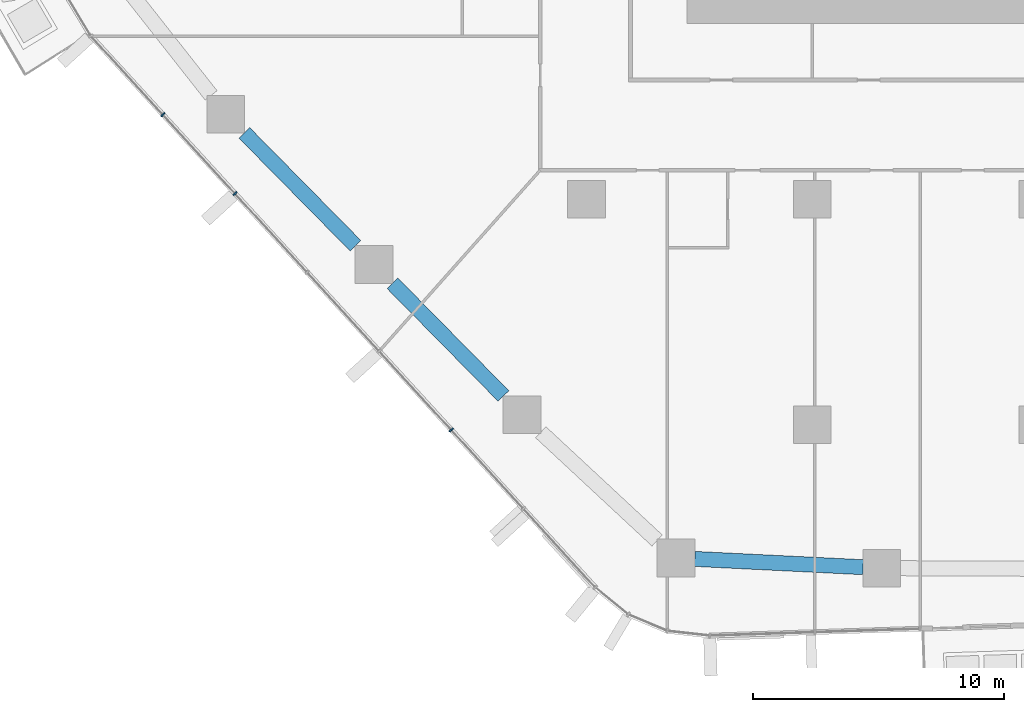
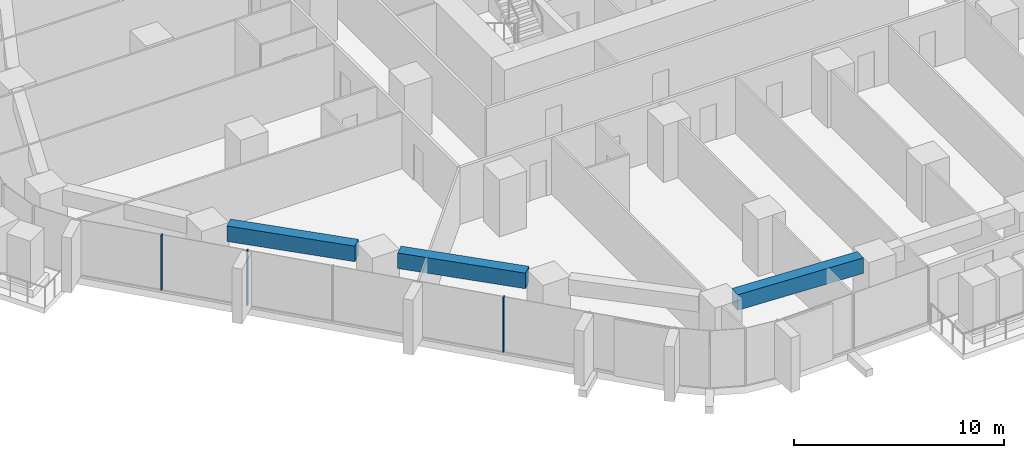
# One storey, part 3 of 27: 3 beams, 3 members, 1 element without a shape of its own.
"""IFC4 building model written with IfcOpenShell, lengths in metres."""

from ifc_helpers import new_model, si_unit, direction, frame, origin, origin_2d, place, context, subcontext, project, spatial, rectangle, extrude, material, layer, layer_set, material_profile, profile_set, type_object, element, aggregate, save


model = new_model("IFC4")

# Units and contexts
model_context = context("Model", 3, precision=1e-05, world=origin(), true_north=direction((0.0, 1.0)))
body_context = subcontext(model_context, "Body", "Model", "MODEL_VIEW")
ifc_project = project(units=[si_unit("LENGTHUNIT", "METRE"), si_unit("AREAUNIT", "SQUARE_METRE"), si_unit("VOLUMEUNIT", "CUBIC_METRE"), si_unit("PLANEANGLEUNIT", "RADIAN"), si_unit("MASSUNIT", "GRAM", prefix="KILO")], contexts=[model_context])

# Site, building, storey
site_placement = place(None, origin())
site = spatial("IfcSite", under=ifc_project, at=site_placement, CompositionType="ELEMENT")
building_placement = place(site_placement, origin())
building = spatial("IfcBuilding", under=site, at=building_placement, Name="Dongbaek Canopy Tower", CompositionType="ELEMENT")
storey_placement = place(building_placement, frame((0.0, 0.0, 58.800048828125)))
storey = spatial("IfcBuildingStorey", under=building, at=storey_placement, Name="L10", CompositionType="ELEMENT", Elevation=58.800048828125)

# Curtain wall, members
ifc_material_1 = material(Name="Aluminium 6063-T6 pale anodised", Category="aluminium")
ifc_layer = layer(ifc_material_1, 0.199951171875)
ifc_layer_set = layer_set([ifc_layer], Name="CW-1 unitised tower curtain wall")
curtain_wall_type = type_object("IfcCurtainWallType", Name="CW-1 unitised tower curtain wall", PredefinedType="NOTDEFINED", material=ifc_layer_set)
curtain_wall_placement = place(storey_placement, origin())
curtain_wall = element("IfcCurtainWall", 1, at=curtain_wall_placement, inside=storey, type_object=curtain_wall_type, Name="CW-1 curtain wall F3.1", PredefinedType="NOTDEFINED")
ifc_material_2 = material(Name="Aluminium 6063-T6 pale anodised", Category="aluminium")
ifc_material_profile_1 = material_profile(ifc_material_2, rectangle(XDim=0.199951171875, YDim=0.06005859375, at=origin_2d()), Name="CW-1 mullion 60 x 200")
ifc_profile_set_1 = profile_set([ifc_material_profile_1], Name="Aluminium 6063-T6 pale anodised")
member_type = type_object("IfcMemberType", Name="CW-1 mullion 60 x 200", PredefinedType="MULLION", material=ifc_profile_set_1)
member_1_placement = place(storey_placement, frame((-34.893798828125, -14.634033203125, 0.119873046875), z_axis=(0.0, 0.0, 1.0), x_axis=(-0.737854848702, -0.674959422667, 0.0)))
member_1 = element("IfcMember", 2, at=member_1_placement, type_object=member_type, Name="CW-1 mullion F3.1.2", PredefinedType="MULLION", context=body_context, shape_type="SweptSolid", body=[
    extrude(rectangle(XDim=0.199951171875, YDim=0.06005859375, at=origin_2d()), origin(), (0.0, 0.0, 1.0), 3.18017578125),
])
member_2_placement = place(storey_placement, frame((-32.01806640625, -17.777587890625, 0.119873046875), z_axis=(0.0, 0.0, 1.0), x_axis=(-0.737854848702, -0.674959422667, 0.0)))
member_2 = element("IfcMember", 3, at=member_2_placement, type_object=member_type, Name="CW-1 mullion F3.1.3", PredefinedType="MULLION", context=body_context, shape_type="SweptSolid", body=[
    extrude(rectangle(XDim=0.199951171875, YDim=0.06005859375, at=origin_2d()), origin(), (0.0, 0.0, 1.0), 3.18017578125),
])
member_3_placement = place(storey_placement, frame((-23.391357421875, -27.208251953125, 0.119873046875), z_axis=(0.0, 0.0, 1.0), x_axis=(-0.737854848702, -0.674959422667, 0.0)))
member_3 = element("IfcMember", 4, at=member_3_placement, type_object=member_type, Name="CW-1 mullion F3.1.6", PredefinedType="MULLION", context=body_context, shape_type="SweptSolid", body=[
    extrude(rectangle(XDim=0.199951171875, YDim=0.06005859375, at=origin_2d()), origin(), (0.0, 0.0, 1.0), 3.18017578125),
])
aggregate(curtain_wall, [member_1, member_2, member_3])

# Beams
ifc_material_3 = material(Name="Concrete C80", Category="concrete")
ifc_material_profile_2 = material_profile(ifc_material_3, rectangle(XDim=0.60009765625, YDim=0.89990234375, at=origin_2d()), Name="RC EDGE BEAM 600x900 C80")
ifc_profile_set_2 = profile_set([ifc_material_profile_2], Name="Concrete C80")
beam_type = type_object("IfcBeamType", Name="RC EDGE BEAM 600x900 C80", PredefinedType="BEAM", material=ifc_profile_set_2)
beam_1_placement = place(storey_placement, frame((-6.971923828125, -32.68017578125, 2.849853515625), z_axis=(-0.998791258722, 0.049153041612, 0.0), x_axis=(-0.049153041612, -0.998791258722, 0.0)))
element("IfcBeam", 5, at=beam_1_placement, inside=storey, type_object=beam_type, Name="EDGEBEAM:L10:03", PredefinedType="BEAM", context=body_context, shape_type="SweptSolid", body=[
    extrude(rectangle(XDim=0.60009765625, YDim=0.89990234375, at=origin_2d()), origin(), (0.0, 0.0, 1.0), 6.72021484375),
])
beam_2_placement = place(storey_placement, frame((-21.312744140625, -25.85205078125, 2.849853515625), z_axis=(-0.701726082417, 0.712446843811, 0.0), x_axis=(-0.712446843811, -0.701726082417, 0.0)))
element("IfcBeam", 6, at=beam_2_placement, inside=storey, type_object=beam_type, Name="EDGEBEAM:L10:05", PredefinedType="BEAM", context=body_context, shape_type="SweptSolid", body=[
    extrude(rectangle(XDim=0.60009765625, YDim=0.89990234375, at=origin_2d()), origin(), (0.0, 0.0, 1.0), 6.30810546875),
])
beam_3_placement = place(storey_placement, frame((-27.216552734375, -19.85791015625, 2.849853515625), z_axis=(-0.701687682569, 0.712484663787, 0.0), x_axis=(-0.712484663787, -0.701687682569, 0.0)))
element("IfcBeam", 7, at=beam_3_placement, inside=storey, type_object=beam_type, Name="EDGEBEAM:L10:06", PredefinedType="BEAM", context=body_context, shape_type="SweptSolid", body=[
    extrude(rectangle(XDim=0.60009765625, YDim=0.89990234375, at=origin_2d()), origin(), (0.0, 0.0, 1.0), 6.308837890625),
])

save(model, "model.ifc")
